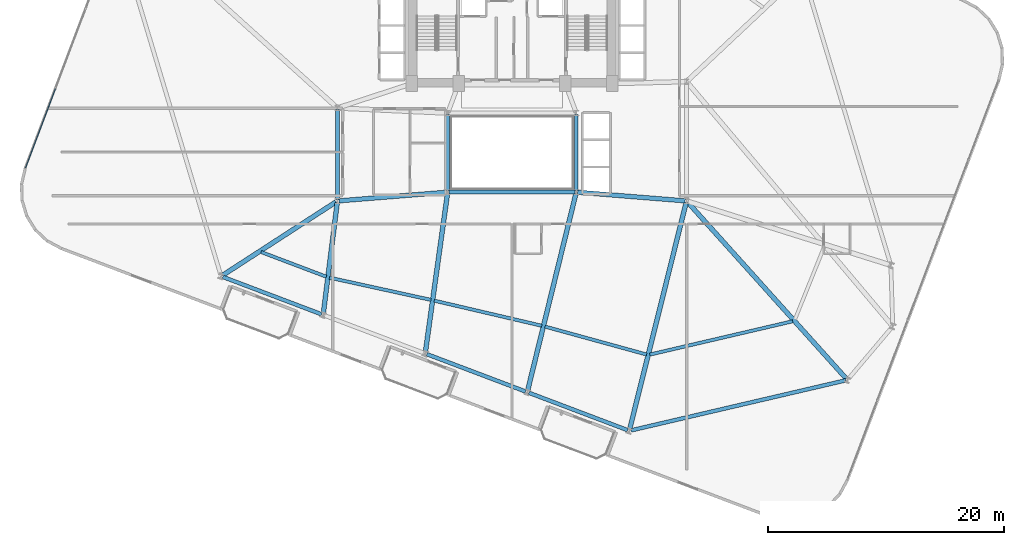
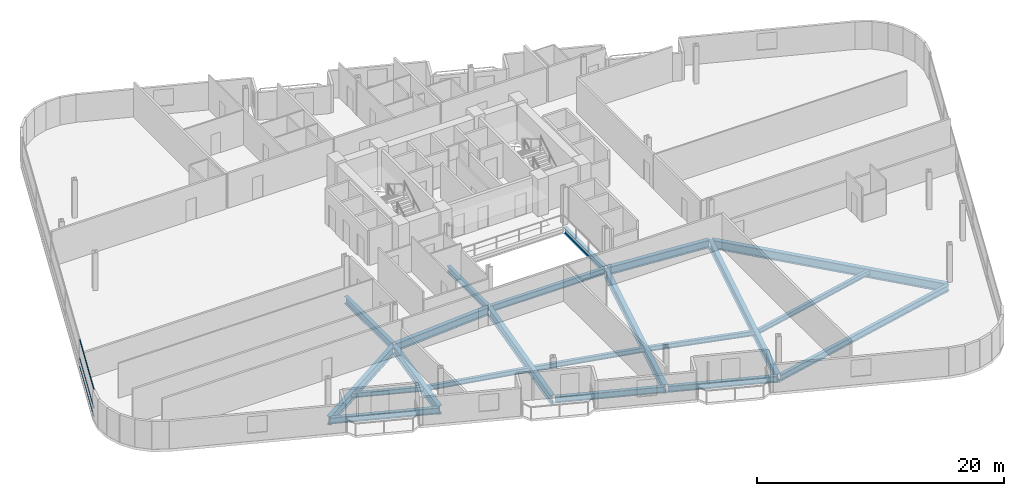
# One storey, part 3 of 24: 21 beams, 3 members, 1 element without a shape of its own.
"""IFC4 building model written with IfcOpenShell, lengths in metres."""

from ifc_helpers import new_model, si_unit, direction, frame, origin, origin_2d, place, context, subcontext, project, spatial, hollow_rectangle, i_section, extrude, material, layer, layer_set, material_profile, profile_set, type_object, element, aggregate, save


model = new_model("IFC4")

# Units and contexts
model_context = context("Model", 3, precision=1e-05, world=origin(), true_north=direction((0.0, 1.0)))
body_context = subcontext(model_context, "Body", "Model", "MODEL_VIEW")
ifc_project = project(units=[si_unit("LENGTHUNIT", "METRE"), si_unit("AREAUNIT", "SQUARE_METRE"), si_unit("VOLUMEUNIT", "CUBIC_METRE"), si_unit("PLANEANGLEUNIT", "RADIAN"), si_unit("MASSUNIT", "GRAM", prefix="KILO")], contexts=[model_context])

# Site, building, storey
site_placement = place(None, origin())
site = spatial("IfcSite", under=ifc_project, at=site_placement, CompositionType="ELEMENT")
building_placement = place(site_placement, origin())
building = spatial("IfcBuilding", under=site, at=building_placement, Name="Varnelok Gate Tower", CompositionType="ELEMENT")
storey_placement = place(building_placement, frame((0.0, 0.0, 102.10009765625)))
storey = spatial("IfcBuildingStorey", under=building, at=storey_placement, Name="L25", CompositionType="ELEMENT", Elevation=102.10009765625)

# Beams
ifc_material_1 = material(Name="Structural Steel ASTM A992 Grade 50", Category="steel")
ifc_material_profile_1 = material_profile(ifc_material_1, i_section(OverallWidth=0.280029296875, OverallDepth=0.462890625, WebThickness=0.0107421875, FlangeThickness=0.017333984375, FilletRadius=0.014892578125, at=origin_2d()), Name="W18X76")
ifc_profile_set_1 = profile_set([ifc_material_profile_1], Name="Structural Steel ASTM A992 Grade 50")
beam_type_1 = type_object("IfcBeamType", Name="BM-JST-W18X76", PredefinedType="JOIST", material=ifc_profile_set_1)
beam_1_placement = place(storey_placement, frame((17.92529296875, 14.473388671875, -0.481689453125), z_axis=(0.935224241006, -0.354055954666, 0.0), x_axis=(0.354055954666, 0.935224241006, 0.0)))
element("IfcBeam", 1, at=beam_1_placement, inside=storey, type_object=beam_type_1, Name="L25 Sector Floor Joist 1", PredefinedType="JOIST", context=body_context, shape_type="SweptSolid", body=[
    extrude(i_section(OverallWidth=0.280029296875, OverallDepth=0.462890625, WebThickness=0.0107421875, FlangeThickness=0.017333984375, FilletRadius=0.014892578125, at=origin_2d()), origin(), (0.0, 0.0, 1.0), 5.917724609375),
])
beam_2_placement = place(storey_placement, frame((23.727294921875, 12.298583984375, -0.481689453125), z_axis=(0.976811371501, -0.214101715326, 0.0), x_axis=(0.214101715326, 0.976811371501, 0.0)))
element("IfcBeam", 2, at=beam_2_placement, inside=storey, type_object=beam_type_1, Name="L25 Sector Floor Joist 2", PredefinedType="JOIST", context=body_context, shape_type="SweptSolid", body=[
    extrude(i_section(OverallWidth=0.280029296875, OverallDepth=0.462890625, WebThickness=0.0107421875, FlangeThickness=0.017333984375, FilletRadius=0.014892578125, at=origin_2d()), origin(), (0.0, 0.0, 1.0), 8.812255859375),
])
beam_3_placement = place(storey_placement, frame((32.6083984375, 10.349853515625, -0.481689453125), z_axis=(0.973781378706, -0.227485881949, 0.0), x_axis=(0.227485881949, 0.973781378706, 0.0)))
element("IfcBeam", 3, at=beam_3_placement, inside=storey, type_object=beam_type_1, Name="L25 Sector Floor Joist 3", PredefinedType="JOIST", context=body_context, shape_type="SweptSolid", body=[
    extrude(i_section(OverallWidth=0.280029296875, OverallDepth=0.462890625, WebThickness=0.0107421875, FlangeThickness=0.017333984375, FilletRadius=0.014892578125, at=origin_2d()), origin(), (0.0, 0.0, 1.0), 9.365966796875),
])
beam_4_placement = place(storey_placement, frame((42.0, 8.150390625, -0.481689453125), z_axis=(0.964219893218, -0.265103748602, 0.0), x_axis=(0.265103748602, 0.964219893218, 0.0)))
element("IfcBeam", 4, at=beam_4_placement, inside=storey, type_object=beam_type_1, Name="L25 Sector Floor Joist 4", PredefinedType="JOIST", context=body_context, shape_type="SweptSolid", body=[
    extrude(i_section(OverallWidth=0.280029296875, OverallDepth=0.462890625, WebThickness=0.0107421875, FlangeThickness=0.017333984375, FilletRadius=0.014892578125, at=origin_2d()), origin(), (0.0, 0.0, 1.0), 8.93115234375),
])
beam_5_placement = place(storey_placement, frame((50.883056640625, 5.77734375, -0.481689453125), z_axis=(0.973875066894, 0.227084464643, 0.0), x_axis=(-0.227084464643, 0.973875066894, 0.0)))
element("IfcBeam", 5, at=beam_5_placement, inside=storey, type_object=beam_type_1, Name="L25 Sector Floor Joist 5", PredefinedType="JOIST", context=body_context, shape_type="SweptSolid", body=[
    extrude(i_section(OverallWidth=0.280029296875, OverallDepth=0.462890625, WebThickness=0.0107421875, FlangeThickness=0.017333984375, FilletRadius=0.014892578125, at=origin_2d()), origin(), (0.0, 0.0, 1.0), 12.442138671875),
])
ifc_material_profile_2 = material_profile(ifc_material_1, i_section(OverallWidth=0.35498046875, OverallDepth=0.696044921875, WebThickness=0.015380859375, FlangeThickness=0.02490234375, FilletRadius=0.02001953125, at=origin_2d()), Name="W27X146")
ifc_profile_set_2 = profile_set([ifc_material_profile_2], Name="Structural Steel ASTM A992 Grade 50")
beam_type_2 = type_object("IfcBeamType", Name="BM-PRI-W27X146", PredefinedType="BEAM", material=ifc_profile_set_2)
beam_6_placement = place(storey_placement, frame((24.39990234375, 18.919921875, -0.59814453125), z_axis=(0.0, 1.0, 0.0), x_axis=(-1.0, 0.0, 0.0)))
element("IfcBeam", 6, at=beam_6_placement, inside=storey, type_object=beam_type_2, Name="L25 Core-Atrium Spine Beam 16", PredefinedType="BEAM", context=body_context, shape_type="SweptSolid", body=[
    extrude(i_section(OverallWidth=0.35498046875, OverallDepth=0.696044921875, WebThickness=0.015380859375, FlangeThickness=0.02490234375, FilletRadius=0.02001953125, at=origin_2d()), origin(), (0.0, 0.0, 1.0), 7.64013671875),
])
ifc_material_profile_3 = material_profile(ifc_material_1, i_section(OverallWidth=0.381103515625, OverallDepth=0.77294921875, WebThickness=0.0166015625, FlangeThickness=0.027099609375, FilletRadius=0.02197265625, at=origin_2d()), Name="W30X173")
ifc_profile_set_3 = profile_set([ifc_material_profile_3], Name="Structural Steel ASTM A992 Grade 50")
beam_type_3 = type_object("IfcBeamType", Name="BM-PRI-W30X173", PredefinedType="BEAM", material=ifc_profile_set_3)
for number, where, z_axis, x_axis, name in (
    (7, (24.51953125, 18.8095703125, -0.63671875), (0.996799206292, 0.07994587128, 0.0), (-0.07994587128, 0.996799206292, 0.0), "L25 Core-Atrium Spine Beam 14"),
    (8, (44.76953125, 19.540283203125, -0.63671875), (0.996799206292, -0.07994587128, 0.0), (0.07994587128, 0.996799206292, 0.0), "L25 Core-Atrium Spine Beam 18"),
):
    element("IfcBeam", number, at=place(storey_placement, frame(where, z_axis=z_axis, x_axis=x_axis)), inside=storey, type_object=beam_type_3, Name=name, PredefinedType="BEAM", context=body_context, shape_type="SweptSolid", body=[
        extrude(i_section(OverallWidth=0.381103515625, OverallDepth=0.77294921875, WebThickness=0.0166015625, FlangeThickness=0.027099609375, FilletRadius=0.02197265625, at=origin_2d()), origin(), (0.0, 0.0, 1.0), 9.14013671875),
    ])
ifc_material_profile_4 = material_profile(ifc_material_1, i_section(OverallWidth=0.39892578125, OverallDepth=0.85498046875, WebThickness=0.018310546875, FlangeThickness=0.029296875, FilletRadius=0.02392578125, at=origin_2d()), Name="W33X201")
ifc_profile_set_4 = profile_set([ifc_material_profile_4], Name="Structural Steel ASTM A992 Grade 50")
beam_type_4 = type_object("IfcBeamType", Name="BM-PRI-W33X201", PredefinedType="BEAM", material=ifc_profile_set_4)
beam_7_placement = place(storey_placement, frame((24.274169921875, 18.718505859375, -0.677490234375), z_axis=(-0.839398998687, -0.543515704468, 0.0), x_axis=(0.543515704468, -0.839398998687, 0.0)))
element("IfcBeam", 9, at=beam_7_placement, inside=storey, type_object=beam_type_4, Name="L25 Radial Floor Girder 1", PredefinedType="BEAM", context=body_context, shape_type="SweptSolid", body=[
    extrude(i_section(OverallWidth=0.39892578125, OverallDepth=0.85498046875, WebThickness=0.018310546875, FlangeThickness=0.029296875, FilletRadius=0.02392578125, at=origin_2d()), origin(), (0.0, 0.0, 1.0), 11.4453125),
])
beam_8_placement = place(storey_placement, frame((24.38134765625, 18.651123046875, -0.677490234375), z_axis=(-0.124114361033, -0.992267920163, 0.0), x_axis=(0.992267920163, -0.124114361033, 0.0)))
element("IfcBeam", 10, at=beam_8_placement, inside=storey, type_object=beam_type_4, Name="L25 Radial Floor Girder 2", PredefinedType="BEAM", context=body_context, shape_type="SweptSolid", body=[
    extrude(i_section(OverallWidth=0.39892578125, OverallDepth=0.85498046875, WebThickness=0.018310546875, FlangeThickness=0.029296875, FilletRadius=0.02392578125, at=origin_2d()), origin(), (0.0, 0.0, 1.0), 9.43408203125),
])
beam_9_placement = place(storey_placement, frame((33.729248046875, 19.4013671875, -0.677490234375), z_axis=(-0.138054699139, -0.990424605937, 0.0), x_axis=(0.990424605937, -0.138054699139, 0.0)))
element("IfcBeam", 11, at=beam_9_placement, inside=storey, type_object=beam_type_4, Name="L25 Radial Floor Girder 3", PredefinedType="BEAM", context=body_context, shape_type="SweptSolid", body=[
    extrude(i_section(OverallWidth=0.39892578125, OverallDepth=0.85498046875, WebThickness=0.018310546875, FlangeThickness=0.029296875, FilletRadius=0.02392578125, at=origin_2d()), origin(), (0.0, 0.0, 1.0), 13.51611328125),
])
beam_10_placement = place(storey_placement, frame((44.6142578125, 19.404296875, -0.677490234375), z_axis=(-0.238054163128, -0.971251880522, 0.0), x_axis=(0.971251880522, -0.238054163128, 0.0)))
element("IfcBeam", 12, at=beam_10_placement, inside=storey, type_object=beam_type_4, Name="L25 Radial Floor Girder 4", PredefinedType="BEAM", context=body_context, shape_type="SweptSolid", body=[
    extrude(i_section(OverallWidth=0.39892578125, OverallDepth=0.85498046875, WebThickness=0.018310546875, FlangeThickness=0.029296875, FilletRadius=0.02392578125, at=origin_2d()), origin(), (0.0, 0.0, 1.0), 17.160888671875),
])
beam_11_placement = place(storey_placement, frame((53.963623046875, 18.654541015625, -0.677490234375), z_axis=(-0.241818229902, -0.970321567156, 0.0), x_axis=(0.970321567156, -0.241818229902, 0.0)))
element("IfcBeam", 13, at=beam_11_placement, inside=storey, type_object=beam_type_4, Name="L25 Radial Floor Girder 5", PredefinedType="BEAM", context=body_context, shape_type="SweptSolid", body=[
    extrude(i_section(OverallWidth=0.39892578125, OverallDepth=0.85498046875, WebThickness=0.018310546875, FlangeThickness=0.029296875, FilletRadius=0.02392578125, at=origin_2d()), origin(), (0.0, 0.0, 1.0), 19.7802734375),
])
beam_12_placement = place(storey_placement, frame((54.100341796875, 18.6884765625, -0.677490234375), z_axis=(0.668462619128, -0.743745740713, 0.0), x_axis=(0.743745740713, 0.668462619128, 0.0)))
element("IfcBeam", 14, at=beam_12_placement, inside=storey, type_object=beam_type_4, Name="L25 Radial Floor Girder 6", PredefinedType="BEAM", context=body_context, shape_type="SweptSolid", body=[
    extrude(i_section(OverallWidth=0.39892578125, OverallDepth=0.85498046875, WebThickness=0.018310546875, FlangeThickness=0.029296875, FilletRadius=0.02392578125, at=origin_2d()), origin(), (0.0, 0.0, 1.0), 20.099853515625),
])
ifc_material_profile_5 = material_profile(ifc_material_1, i_section(OverallWidth=0.323974609375, OverallDepth=0.611083984375, WebThickness=0.0126953125, FlangeThickness=0.01904296875, FilletRadius=0.01806640625, at=origin_2d()), Name="W24X104")
ifc_profile_set_5 = profile_set([ifc_material_profile_5], Name="Structural Steel ASTM A992 Grade 50")
beam_type_5 = type_object("IfcBeamType", Name="BM-SPN-W24X104", PredefinedType="SPANDREL", material=ifc_profile_set_5)
beam_13_placement = place(storey_placement, frame((33.8701171875, 19.550048828125, -0.5556640625), z_axis=(1.0, 0.0, 0.0), x_axis=(0.0, 1.0, 0.0)))
element("IfcBeam", 15, at=beam_13_placement, inside=storey, type_object=beam_type_5, Name="L25 Core-Atrium Spine Beam 8", PredefinedType="SPANDREL", context=body_context, shape_type="SweptSolid", body=[
    extrude(i_section(OverallWidth=0.323974609375, OverallDepth=0.611083984375, WebThickness=0.0126953125, FlangeThickness=0.01904296875, FilletRadius=0.01806640625, at=origin_2d()), origin(), (0.0, 0.0, 1.0), 10.659912109375),
])
for number, where, z_axis, x_axis, name in (
    (16, (33.75, 19.669921875, -0.5556640625), (0.0, 1.0, 0.0), (-1.0, 0.0, 0.0), "L25 Core-Atrium Spine Beam 10"),
    (17, (44.64990234375, 19.669921875, -0.5556640625), (0.0, 1.0, 0.0), (-1.0, 0.0, 0.0), "L25 Core-Atrium Spine Beam 11"),
):
    element("IfcBeam", number, at=place(storey_placement, frame(where, z_axis=z_axis, x_axis=x_axis)), inside=storey, type_object=beam_type_5, Name=name, PredefinedType="SPANDREL", context=body_context, shape_type="SweptSolid", body=[
        extrude(i_section(OverallWidth=0.323974609375, OverallDepth=0.611083984375, WebThickness=0.0126953125, FlangeThickness=0.01904296875, FilletRadius=0.01806640625, at=origin_2d()), origin(), (0.0, 0.0, 1.0), 6.4599609375),
    ])
for number, where, z_axis, x_axis, name in (
    (18, (14.681396484375, 12.363037109375, -0.5556640625), (0.935225969099, -0.354051389947, 0.0), (0.354051389947, 0.935225969099, 0.0), "L25 Perimeter Spandrel Beam 1"),
    (19, (31.98291015625, 5.81298828125, -0.5556640625), (0.935216936382, -0.354075248928, 0.0), (0.354075248928, 0.935216936382, 0.0), "L25 Perimeter Spandrel Beam 3"),
    (20, (40.6337890625, 2.537841796875, -0.5556640625), (0.935216936382, -0.354075248928, 0.0), (0.354075248928, 0.935216936382, 0.0), "L25 Perimeter Spandrel Beam 4"),
):
    element("IfcBeam", number, at=place(storey_placement, frame(where, z_axis=z_axis, x_axis=x_axis)), inside=storey, type_object=beam_type_5, Name=name, PredefinedType="SPANDREL", context=body_context, shape_type="SweptSolid", body=[
        extrude(i_section(OverallWidth=0.323974609375, OverallDepth=0.611083984375, WebThickness=0.0126953125, FlangeThickness=0.01904296875, FilletRadius=0.01806640625, at=origin_2d()), origin(), (0.0, 0.0, 1.0), 8.949951171875),
    ])
beam_14_placement = place(storey_placement, frame((49.290283203125, -0.64990234375, -0.5556640625), z_axis=(0.973880317885, 0.227061944052, 0.0), x_axis=(-0.227061944052, 0.973880317885, 0.0)))
element("IfcBeam", 21, at=beam_14_placement, inside=storey, type_object=beam_type_5, Name="L25 Perimeter Spandrel Beam 5", PredefinedType="SPANDREL", context=body_context, shape_type="SweptSolid", body=[
    extrude(i_section(OverallWidth=0.323974609375, OverallDepth=0.611083984375, WebThickness=0.0126953125, FlangeThickness=0.01904296875, FilletRadius=0.01806640625, at=origin_2d()), origin(), (0.0, 0.0, 1.0), 18.688232421875),
])

# Curtain wall, members
ifc_material_2 = material(Name="Anodized Aluminum Alloy 6063-T6", Category="aluminium")
ifc_layer = layer(ifc_material_2, 0.179931640625)
ifc_layer_set = layer_set([ifc_layer], Name="Anodized Aluminum Alloy 6063-T6")
curtain_wall_type = type_object("IfcCurtainWallType", Name="CW3-HOTEL-VISION", PredefinedType="USERDEFINED", material=ifc_layer_set)
curtain_wall_placement = place(storey_placement, origin())
curtain_wall = element("IfcCurtainWall", 22, at=curtain_wall_placement, inside=storey, type_object=curtain_wall_type, Name="L25 West End Vision Curtain Wall", ObjectType="UNITISED CURTAIN WALL", PredefinedType="USERDEFINED")
ifc_material_profile_6 = material_profile(ifc_material_2, hollow_rectangle(XDim=0.06494140625, YDim=0.159912109375, WallThickness=0.00390625, at=origin_2d()), Name="ALU160X65X4")
ifc_profile_set_6 = profile_set([ifc_material_profile_6], Name="Anodized Aluminum Alloy 6063-T6")
member_type = type_object("IfcMemberType", Name="CW-TRAN-160", PredefinedType="USERDEFINED", material=ifc_profile_set_6)
member_1_placement = place(storey_placement, frame((-2.031982421875, 21.625732421875, 0.032470703125), z_axis=(0.35408846525, 0.935211932546, 0.0), x_axis=(-0.935211932546, 0.35408846525, 0.0)))
member_1 = element("IfcMember", 23, at=member_1_placement, type_object=member_type, Name="CW3 transom 1.1", ObjectType="TRANSOM", PredefinedType="USERDEFINED", context=body_context, shape_type="SweptSolid", body=[
    extrude(hollow_rectangle(XDim=0.06494140625, YDim=0.159912109375, WallThickness=0.00390625, at=origin_2d()), origin(), (0.0, 0.0, 1.0), 7.142333984375),
])
member_2_placement = place(storey_placement, frame((-2.031982421875, 21.625732421875, 0.89990234375), z_axis=(0.35408846525, 0.935211932546, 0.0), x_axis=(-0.935211932546, 0.35408846525, 0.0)))
member_2 = element("IfcMember", 24, at=member_2_placement, type_object=member_type, Name="CW3 transom 1.2", ObjectType="TRANSOM", PredefinedType="USERDEFINED", context=body_context, shape_type="SweptSolid", body=[
    extrude(hollow_rectangle(XDim=0.06494140625, YDim=0.159912109375, WallThickness=0.00390625, at=origin_2d()), origin(), (0.0, 0.0, 1.0), 7.142333984375),
])
member_3_placement = place(storey_placement, frame((-2.031982421875, 21.625732421875, 2.697509765625), z_axis=(0.35408846525, 0.935211932546, 0.0), x_axis=(-0.935211932546, 0.35408846525, 0.0)))
member_3 = element("IfcMember", 25, at=member_3_placement, type_object=member_type, Name="CW3 transom 1.3", ObjectType="TRANSOM", PredefinedType="USERDEFINED", context=body_context, shape_type="SweptSolid", body=[
    extrude(hollow_rectangle(XDim=0.06494140625, YDim=0.159912109375, WallThickness=0.00390625, at=origin_2d()), origin(), (0.0, 0.0, 1.0), 7.142333984375),
])
aggregate(curtain_wall, [member_1, member_2, member_3])

save(model, "model.ifc")
